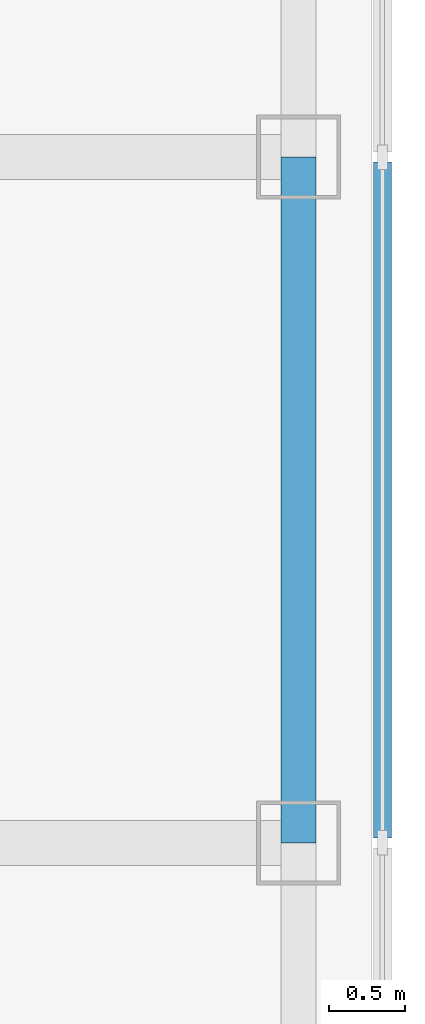
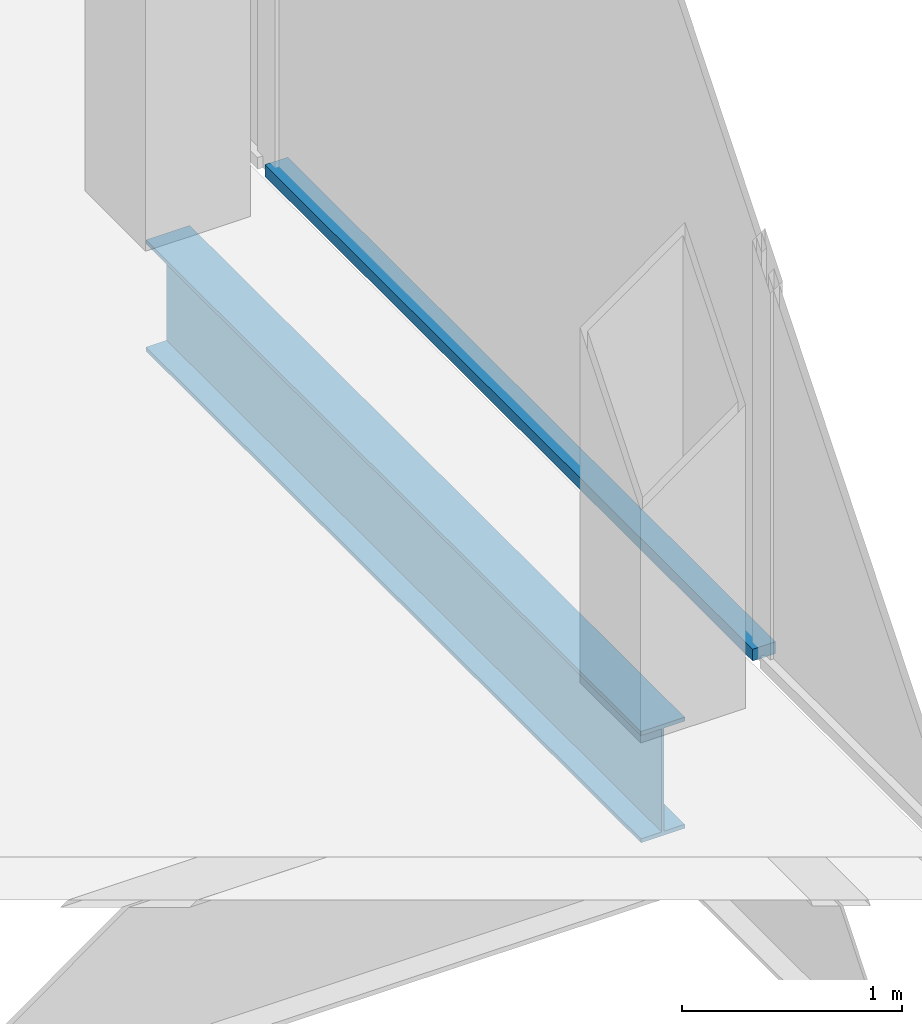
# One storey, part 5 of 13: 1 beam, 1 member, 1 element without a shape of its own.
"""IFC4 building model written with IfcOpenShell, lengths in metres."""

from ifc_helpers import new_model, si_unit, direction, frame, origin, origin_2d, place, context, subcontext, project, spatial, rectangle, i_section, extrude, material, material_profile, profile_set, type_object, element, aggregate, save


model = new_model("IFC4")

# Units and contexts
model_context = context("Model", 3, precision=1e-05, world=origin(), true_north=direction((0.0, 1.0)))
body_context = subcontext(model_context, "Body", "Model", "MODEL_VIEW")
ifc_project = project(units=[si_unit("LENGTHUNIT", "METRE"), si_unit("AREAUNIT", "SQUARE_METRE"), si_unit("VOLUMEUNIT", "CUBIC_METRE"), si_unit("PLANEANGLEUNIT", "RADIAN"), si_unit("MASSUNIT", "GRAM", prefix="KILO")], contexts=[model_context])

# Site, building, storey
site_placement = place(None, origin())
site = spatial("IfcSite", under=ifc_project, at=site_placement, CompositionType="ELEMENT")
building_placement = place(site_placement, origin())
building = spatial("IfcBuilding", under=site, at=building_placement, Name="Corais Broadcast Tower", CompositionType="ELEMENT")
storey_placement = place(building_placement, frame((0.0, 0.0, 302.60009765625)))
storey = spatial("IfcBuildingStorey", under=building, at=storey_placement, Name="L71", CompositionType="ELEMENT", Elevation=302.60009765625)

# Beam
ifc_material_1 = material(Name="Steel ASTM A572 Grade 50", Category="steel")
ifc_material_profile_1 = material_profile(ifc_material_1, i_section(OverallWidth=0.22998046875, OverallDepth=0.616943359375, WebThickness=0.01318359375, FlangeThickness=0.022216796875, at=origin_2d()), Name="W610x140")
ifc_profile_set_1 = profile_set([ifc_material_profile_1], Name="Steel ASTM A572 Grade 50")
beam_type = type_object("IfcBeamType", Name="Spandrel W610x140", PredefinedType="BEAM", material=ifc_profile_set_1)
beam_placement = place(storey_placement, frame((54.0, 27.0, -0.468505859375), z_axis=(0.0, 1.0, 0.0), x_axis=(-1.0, 0.0, 0.0)))
element("IfcBeam", 1, at=beam_placement, inside=storey, type_object=beam_type, Name="SB3 G/15 to H/15", PredefinedType="BEAM", context=body_context, shape_type="SweptSolid", body=[
    extrude(i_section(OverallWidth=0.22998046875, OverallDepth=0.616943359375, WebThickness=0.01318359375, FlangeThickness=0.022216796875, at=origin_2d()), origin(), (0.0, 0.0, 1.0), 4.5),
])

# Curtain wall, member
ifc_material_2 = material(Name="Aluminium and glass", Category="aluminium")
curtain_wall_type = type_object("IfcCurtainWallType", Name="Unitised fritted curtain wall CW3", PredefinedType="NOTDEFINED", material=ifc_material_2)
curtain_wall_placement = place(storey_placement, origin())
curtain_wall = element("IfcCurtainWall", 2, at=curtain_wall_placement, inside=storey, type_object=curtain_wall_type, Name="CW3 curtain wall L71 6", PredefinedType="NOTDEFINED")
ifc_material_3 = material(Name="Aluminium 6063-T6", Category="aluminium")
ifc_material_profile_2 = material_profile(ifc_material_3, rectangle(XDim=0.1201171875, YDim=0.06494140625, at=origin_2d()), Name="Transom CW3 65x120")
ifc_profile_set_2 = profile_set([ifc_material_profile_2], Name="Aluminium 6063-T6")
member_type = type_object("IfcMemberType", Name="Transom CW3 65x120", PredefinedType="USERDEFINED", material=ifc_profile_set_2)
member_placement = place(storey_placement, frame((54.550048828125, 31.467529296875, 0.032470703125), z_axis=(0.0, -1.0, 0.0), x_axis=(1.0, 0.0, 0.0)))
member = element("IfcMember", 3, at=member_placement, type_object=member_type, Name="CW3 transom 3.1", ObjectType="TRANSOM", PredefinedType="USERDEFINED", context=body_context, shape_type="SweptSolid", body=[
    extrude(rectangle(XDim=0.1201171875, YDim=0.06494140625, at=origin_2d()), origin(), (0.0, 0.0, 1.0), 4.43505859375),
])
aggregate(curtain_wall, [member])

save(model, "model.ifc")
